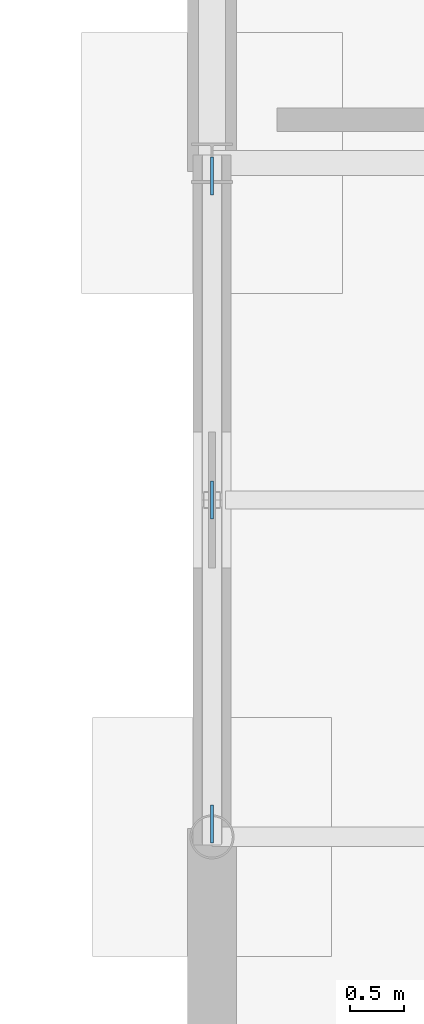
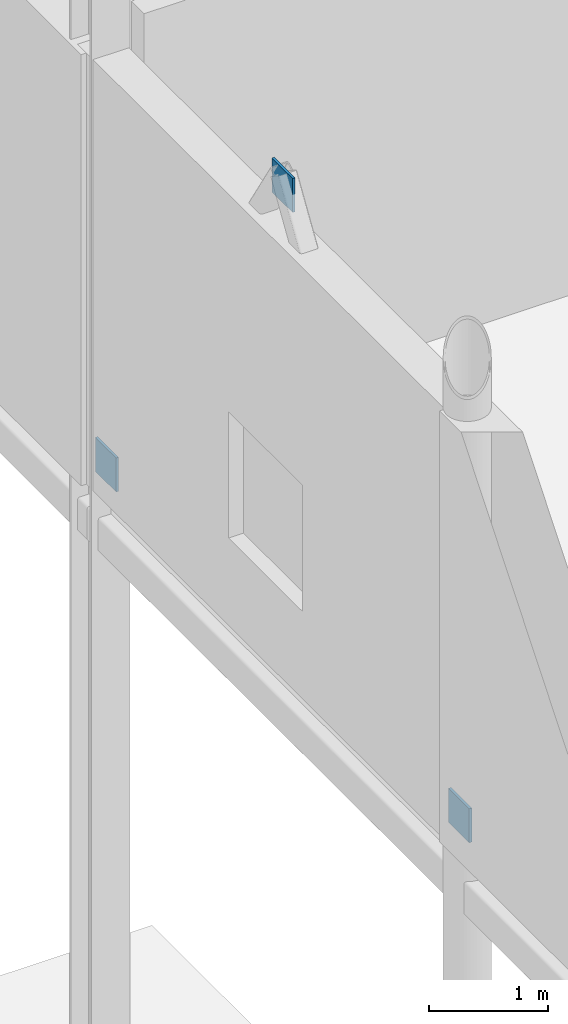
# One storey, part 77 of 98: 3 discrete accessories.
"""IFC4 building model written with IfcOpenShell, lengths in metres."""

from ifc_helpers import new_model, si_unit, direction, frame, origin, origin_2d, place, context, subcontext, project, spatial, rectangle, extrude, material, type_object, element, save


model = new_model("IFC4")

# Units and contexts
model_context = context("Model", 3, precision=1e-05, world=origin(), true_north=direction((0.0, 1.0)))
body_context = subcontext(model_context, "Body", "Model", "MODEL_VIEW")
ifc_project = project(units=[si_unit("LENGTHUNIT", "METRE"), si_unit("AREAUNIT", "SQUARE_METRE"), si_unit("VOLUMEUNIT", "CUBIC_METRE"), si_unit("PLANEANGLEUNIT", "RADIAN"), si_unit("MASSUNIT", "GRAM", prefix="KILO")], contexts=[model_context])

# Site, building, storey
site_placement = place(None, origin())
site = spatial("IfcSite", under=ifc_project, at=site_placement, CompositionType="ELEMENT")
building_placement = place(site_placement, origin())
building = spatial("IfcBuilding", under=site, at=building_placement, Name="Mirzam Square Science Centre", CompositionType="ELEMENT")
storey_placement = place(building_placement, origin())
storey = spatial("IfcBuildingStorey", under=building, at=storey_placement, Name="L00", CompositionType="ELEMENT", Elevation=0.0)

# Discrete accessories
ifc_material = material(Name="Steel S355", Category="steel")
discrete_accessory_type = type_object("IfcDiscreteAccessoryType", Name="BK-BRACE-GUSSET", PredefinedType="BRACKET", material=ifc_material)
for number, where, z_axis, x_axis, name in (
    (1, (0.0, 43.52001953125, -0.005126953125), (0.0, 0.0, 1.0), (0.0, 1.0, 0.0), "L00 brace gusset plate 1A"),
    (2, (0.0, 49.47998046875, -0.005126953125), (0.0, 0.0, 1.0), (0.0, 1.0, 0.0), "L00 brace gusset plate 1B"),
    (3, (0.0, 46.5, 4.679931640625), (0.0, 0.0, 1.0), (0.0, 1.0, 0.0), "L00 brace apex gusset plate 1"),
):
    element("IfcDiscreteAccessory", number, at=place(storey_placement, frame(where, z_axis=z_axis, x_axis=x_axis)), inside=storey, type_object=discrete_accessory_type, Name=name, PredefinedType="BRACKET", context=body_context, shape_type="SweptSolid", body=[
        extrude(rectangle(XDim=0.35009765625, YDim=0.02490234375, at=origin_2d()), origin(), (0.0, 0.0, 1.0), 0.35009765625),
    ])

save(model, "model.ifc")
